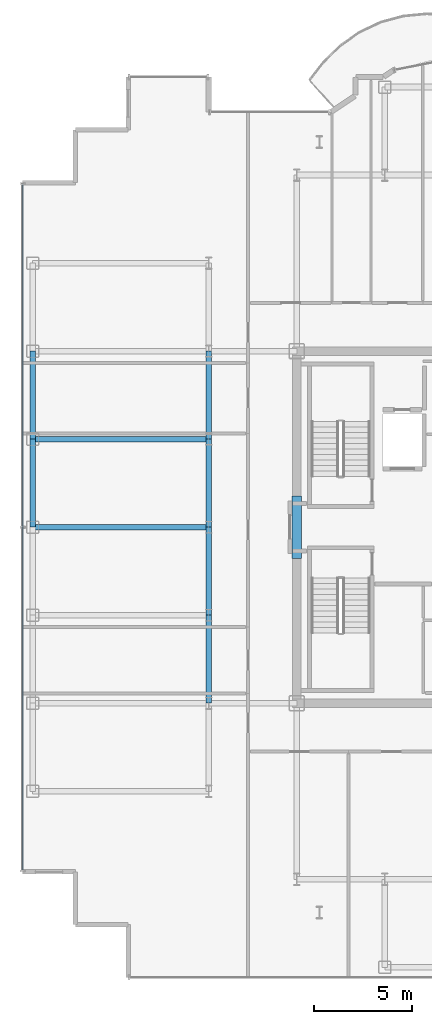
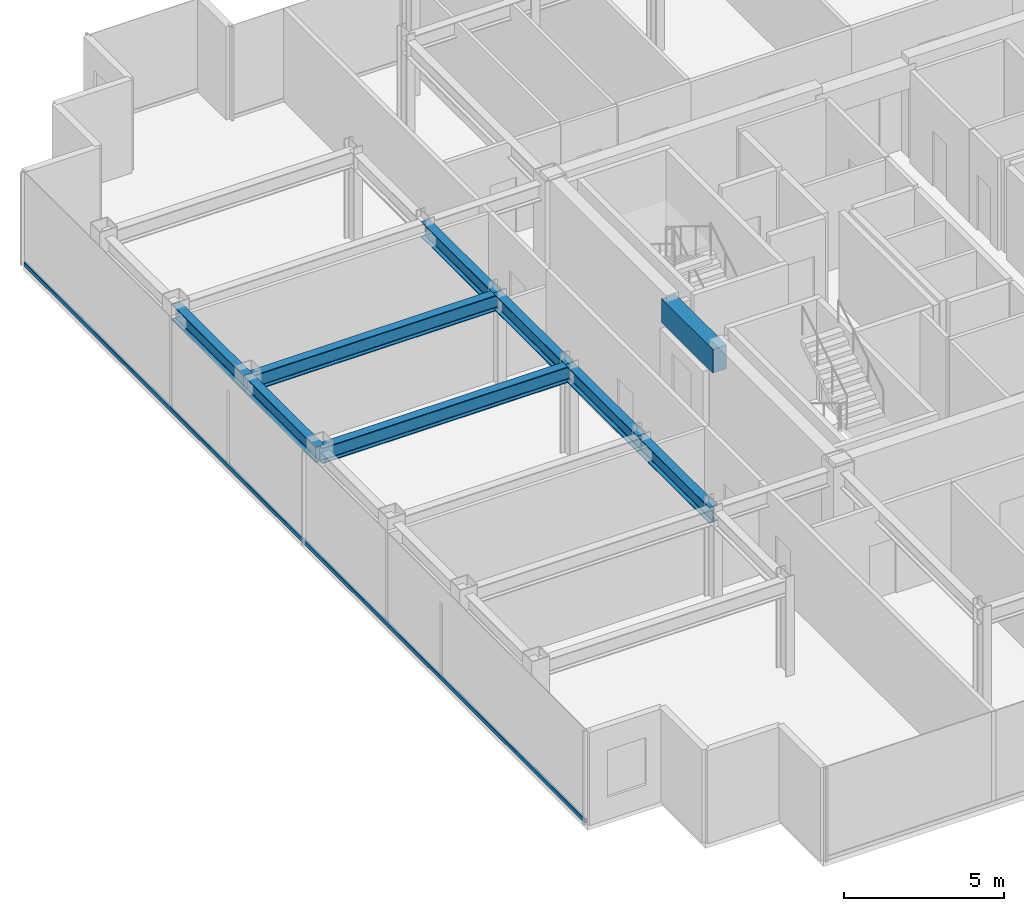
# One storey, part 5 of 18: 9 beams, 1 member, 1 element without a shape of its own.
"""IFC4 building model written with IfcOpenShell, lengths in metres."""

from ifc_helpers import new_model, si_unit, direction, frame, origin, origin_2d, place, context, subcontext, project, spatial, rectangle, hollow_rectangle, i_section, extrude, source, transform, mapped, material, layer, layer_set, material_profile, profile_set, type_object, element, aggregate, save


model = new_model("IFC4")

# Units and contexts
model_context = context("Model", 3, precision=1e-05, world=origin(), true_north=direction((0.0, 1.0)))
body_context = subcontext(model_context, "Body", "Model", "MODEL_VIEW")
ifc_project = project(units=[si_unit("LENGTHUNIT", "METRE"), si_unit("AREAUNIT", "SQUARE_METRE"), si_unit("VOLUMEUNIT", "CUBIC_METRE"), si_unit("PLANEANGLEUNIT", "RADIAN"), si_unit("MASSUNIT", "GRAM", prefix="KILO")], contexts=[model_context])

# Site, building, storey
site_placement = place(None, origin())
site = spatial("IfcSite", under=ifc_project, at=site_placement, CompositionType="ELEMENT")
building_placement = place(site_placement, origin())
building = spatial("IfcBuilding", under=site, at=building_placement, Name="Nefas-Gora Pilgrimage Tower", CompositionType="ELEMENT")
storey_placement = place(building_placement, frame((0.0, 0.0, 283.60009765625)))
storey = spatial("IfcBuildingStorey", under=building, at=storey_placement, Name="L71", CompositionType="ELEMENT", Elevation=283.60009765625)

# Beams
ifc_material_1 = material(Name="Concrete C50/60", Category="concrete")
ifc_material_profile_1 = material_profile(ifc_material_1, rectangle(XDim=0.5, YDim=0.89990234375, at=origin_2d()), Name="RC 500x900")
ifc_profile_set_1 = profile_set([ifc_material_profile_1], Name="Concrete C50/60")
beam_type_1 = type_object("IfcBeamType", Name="BM-LIN-RC900", PredefinedType="LINTEL", material=ifc_profile_set_1)
shared_shape_1 = source(origin(), body_context, "Body", "SweptSolid", [
    extrude(rectangle(XDim=0.5, YDim=0.89990234375, at=origin_2d()), origin(), (0.0, 0.0, 1.0), 3.2001953125),
])
beam_placement = place(storey_placement, frame((-11.25, -1.60009765625, 3.099853515625), z_axis=(0.0, 1.0, 0.0), x_axis=(-1.0, 0.0, 0.0)))
element("IfcBeam", 1, at=beam_placement, inside=storey, type_object=beam_type_1, Name="L71 Core Coupling Lintel Beam W", PredefinedType="LINTEL", context=body_context, shape_type="MappedRepresentation", body=[
    mapped(shared_shape_1, transform((0.0, 0.0, 0.0), x_axis=(1.0, 0.0, 0.0), y_axis=(0.0, 1.0, 0.0), z_axis=(0.0, 0.0, 1.0), scale=1.0)),
])
ifc_material_2 = material(Name="Steel S355", Category="steel")
ifc_material_profile_2 = material_profile(ifc_material_2, i_section(OverallWidth=0.300048828125, OverallDepth=0.60009765625, WebThickness=0.015380859375, FlangeThickness=0.030029296875, FilletRadius=0.027099609375, at=origin_2d()), Name="HEB 600")
ifc_profile_set_2 = profile_set([ifc_material_profile_2], Name="Steel S355")
beam_type_2 = type_object("IfcBeamType", Name="BM-SPN-HEB450", PredefinedType="SPANDREL", material=ifc_profile_set_2)
shared_shape_2 = source(origin(), body_context, "Body", "SweptSolid", [
    extrude(i_section(OverallWidth=0.300048828125, OverallDepth=0.60009765625, WebThickness=0.015380859375, FlangeThickness=0.030029296875, FilletRadius=0.027099609375, at=origin_2d()), origin(), (0.0, 0.0, 1.0), 4.5),
])
for number, where, z_axis, x_axis, name in (
    (2, (-24.75, 0.0, 3.25), (0.0, 1.0, 0.0), (-1.0, 0.0, 0.0), "L71 SP-03 beam"),
    (3, (-24.75, 4.5, 3.25), (0.0, 1.0, 0.0), (-1.0, 0.0, 0.0), "L71 SP-03 beam"),
):
    element("IfcBeam", number, at=place(storey_placement, frame(where, z_axis=z_axis, x_axis=x_axis)), inside=storey, type_object=beam_type_2, Name=name, PredefinedType="SPANDREL", context=body_context, shape_type="MappedRepresentation", body=[
        mapped(shared_shape_2, transform((0.0, 0.0, 0.0), x_axis=(1.0, 0.0, 0.0), y_axis=(0.0, 1.0, 0.0), z_axis=(0.0, 0.0, 1.0), scale=1.0)),
    ])
ifc_material_profile_3 = material_profile(ifc_material_2, i_section(OverallWidth=0.300048828125, OverallDepth=0.60009765625, WebThickness=0.015380859375, FlangeThickness=0.030029296875, FilletRadius=0.027099609375, at=origin_2d()), Name="HEB 600")
ifc_profile_set_3 = profile_set([ifc_material_profile_3], Name="Steel S355")
beam_type_3 = type_object("IfcBeamType", Name="BM-GIR-HEB600", PredefinedType="BEAM", material=ifc_profile_set_3)
shared_shape_3 = source(origin(), body_context, "Body", "SweptSolid", [
    extrude(i_section(OverallWidth=0.300048828125, OverallDepth=0.60009765625, WebThickness=0.015380859375, FlangeThickness=0.030029296875, FilletRadius=0.027099609375, at=origin_2d()), origin(), (0.0, 0.0, 1.0), 9.0),
])
for number, where, z_axis, x_axis, name in (
    (4, (-24.75, 0.0, 3.25), (1.0, 0.0, 0.0), (0.0, 1.0, 0.0), "L71 G-04 beam"),
    (5, (-24.75, 4.5, 3.25), (1.0, 0.0, 0.0), (0.0, 1.0, 0.0), "L71 G-04 beam"),
):
    element("IfcBeam", number, at=place(storey_placement, frame(where, z_axis=z_axis, x_axis=x_axis)), inside=storey, type_object=beam_type_3, Name=name, PredefinedType="BEAM", context=body_context, shape_type="MappedRepresentation", body=[
        mapped(shared_shape_3, transform((0.0, 0.0, 0.0), x_axis=(1.0, 0.0, 0.0), y_axis=(0.0, 1.0, 0.0), z_axis=(0.0, 0.0, 1.0), scale=1.0)),
    ])
shared_shape_4 = source(origin(), body_context, "Body", "SweptSolid", [
    extrude(i_section(OverallWidth=0.300048828125, OverallDepth=0.60009765625, WebThickness=0.015380859375, FlangeThickness=0.030029296875, FilletRadius=0.027099609375, at=origin_2d()), origin(), (0.0, 0.0, 1.0), 4.5),
])
for number, where, z_axis, x_axis, name in (
    (6, (-15.75, -9.0, 3.25), (0.0, 1.0, 0.0), (-1.0, 0.0, 0.0), "L71 G-04 beam"),
    (7, (-15.75, -4.5, 3.25), (0.0, 1.0, 0.0), (-1.0, 0.0, 0.0), "L71 G-04 beam"),
    (8, (-15.75, 0.0, 3.25), (0.0, 1.0, 0.0), (-1.0, 0.0, 0.0), "L71 G-04 beam"),
    (9, (-15.75, 4.5, 3.25), (0.0, 1.0, 0.0), (-1.0, 0.0, 0.0), "L71 G-04 beam"),
):
    element("IfcBeam", number, at=place(storey_placement, frame(where, z_axis=z_axis, x_axis=x_axis)), inside=storey, type_object=beam_type_3, Name=name, PredefinedType="BEAM", context=body_context, shape_type="MappedRepresentation", body=[
        mapped(shared_shape_4, transform((0.0, 0.0, 0.0), x_axis=(1.0, 0.0, 0.0), y_axis=(0.0, 1.0, 0.0), z_axis=(0.0, 0.0, 1.0), scale=1.0)),
    ])

# Curtain wall, member
ifc_material_3 = material(Name="Dark ceramic-fritted solar-control aluminium-glass curtain wall", Category="aluminium")
ifc_layer = layer(ifc_material_3, 0.219970703125)
ifc_layer_set = layer_set([ifc_layer], Name="Dark ceramic-fritted solar-control aluminium-glass curtain wall")
curtain_wall_type = type_object("IfcCurtainWallType", Name="CW-SYS-4", PredefinedType="NOTDEFINED", material=ifc_layer_set)
curtain_wall_placement = place(storey_placement, origin())
curtain_wall = element("IfcCurtainWall", 10, at=curtain_wall_placement, inside=storey, type_object=curtain_wall_type, Name="L71 Unitised Curtain Wall CW4", PredefinedType="NOTDEFINED")
ifc_material_4 = material(Name="Anodised architectural aluminium", Category="aluminium")
ifc_material_profile_4 = material_profile(ifc_material_4, hollow_rectangle(XDim=0.080078125, YDim=0.159912109375, WallThickness=0.00439453125, InnerFilletRadius=0.00439453125, OuterFilletRadius=0.009033203125, at=origin_2d()), Name="ALU TRANSOM 80x160")
ifc_profile_set_4 = profile_set([ifc_material_profile_4], Name="Anodised architectural aluminium")
member_type = type_object("IfcMemberType", Name="CWM-TRN-4", PredefinedType="USERDEFINED", material=ifc_profile_set_4)
shared_shape_5 = source(origin(), body_context, "Body", "SweptSolid", [
    extrude(hollow_rectangle(XDim=0.080078125, YDim=0.159912109375, WallThickness=0.00439453125, InnerFilletRadius=0.00439453125, OuterFilletRadius=0.009033203125, at=origin_2d()), origin(), (0.0, 0.0, 1.0), 35.06005859375),
])
member_placement = place(storey_placement, frame((-25.27001953125, 17.530029296875, 0.0498046875), z_axis=(0.0, -1.0, 0.0), x_axis=(1.0, 0.0, 0.0)))
member = element("IfcMember", 11, at=member_placement, type_object=member_type, Name="CW4 Spandrel Transom", ObjectType="TRANSOM", PredefinedType="USERDEFINED", context=body_context, shape_type="MappedRepresentation", body=[
    mapped(shared_shape_5, transform((0.0, 0.0, 0.0), x_axis=(1.0, 0.0, 0.0), y_axis=(0.0, 1.0, 0.0), z_axis=(0.0, 0.0, 1.0), scale=1.0)),
])
aggregate(curtain_wall, [member])

save(model, "model.ifc")
